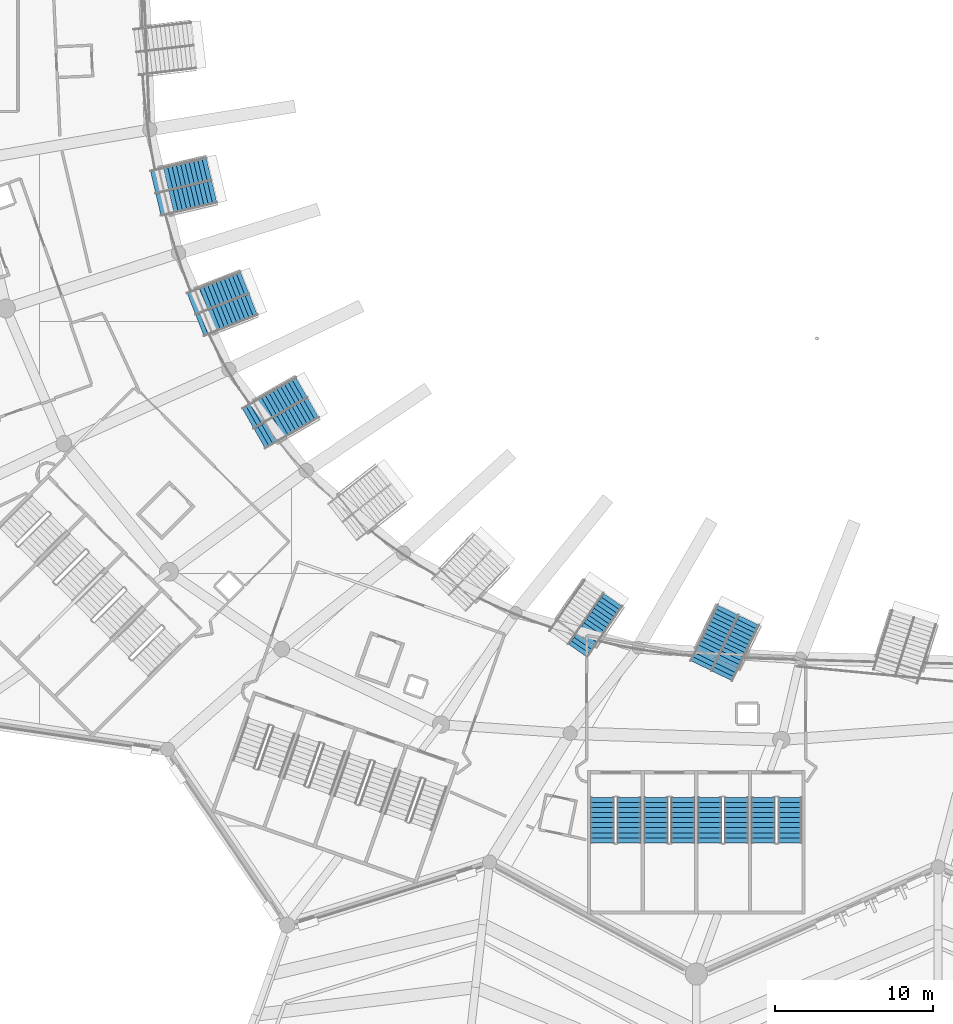
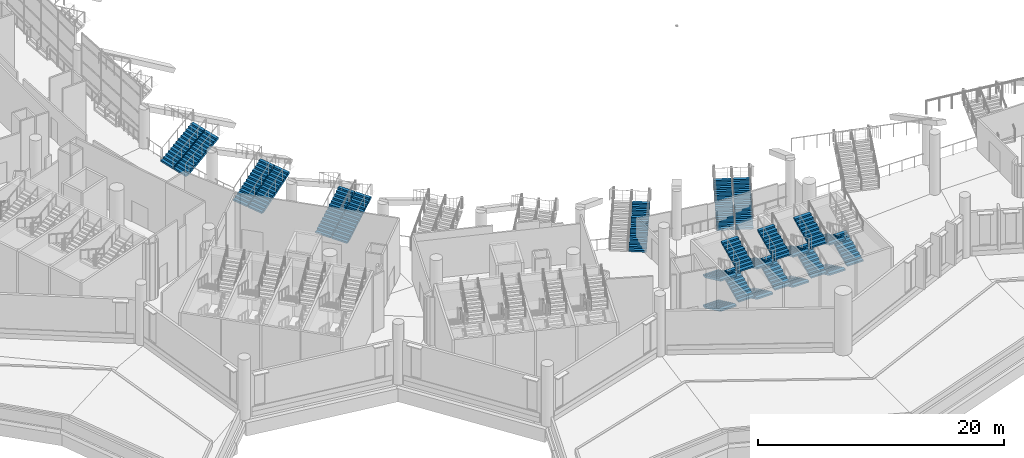
# One storey, part 82 of 173: 24 stair flights, 9 elements without a shape of their own.
"""IFC4 building model written with IfcOpenShell, lengths in metres."""

import ifcopenshell
import ifcopenshell.guid

model = None  # the IFC model being written
_history = None  # IfcOwnerHistory: only IFC2X3 demands one
_inside = {}  # id of a spatial element -> (the spatial element, [elements in it])
_under = {}  # id of a project, library or spatial element -> (it, [spatial elements below it])
_declared = {}  # id of a project -> (the project, [libraries it declares])
_typed = {}  # id of a type object -> (the type object, [elements of that type])
_made_of = {}  # id of a material, layer set ... -> (it, [elements and type objects made of it])


def new_model(schema):
    """Start an empty IFC model of exactly this schema.

    Asked for "IFC4X3", IfcOpenShell would pick the latest addendum, in which some entities
    have other attributes; the version numbers below select the first issue.
    IFC2X3 requires an IfcOwnerHistory on every rooted entity: one is made here for all.
    """
    global model, _history
    if schema == "IFC4X3":
        model = ifcopenshell.file(schema_version=(4, 3, 0, 0))
    else:
        model = ifcopenshell.file(schema=schema)
    _inside.clear()
    _under.clear()
    _declared.clear()
    _typed.clear()
    _made_of.clear()
    _history = None
    if model.schema == "IFC2X3":
        org = make("IfcOrganization", Name="unknown")
        user = make(
            "IfcPersonAndOrganization",
            ThePerson=make("IfcPerson", FamilyName="unknown"),
            TheOrganization=org,
        )
        app = make(
            "IfcApplication",
            ApplicationDeveloper=org,
            Version="unknown",
            ApplicationFullName="unknown",
            ApplicationIdentifier="unknown",
        )
        _history = make(
            "IfcOwnerHistory",
            OwningUser=user,
            OwningApplication=app,
            ChangeAction="ADDED",
            CreationDate=0,
        )
    return model


def make(cls, **values):
    """One entity of the class cls with the attributes given. An attribute that is None is left unset."""
    return model.create_entity(
        cls, **{name: value for name, value in values.items() if value is not None}
    )


def rooted(cls, **values):
    """An entity with a GlobalId (a new one), such as an element, a storey or a relation."""
    return make(cls, GlobalId=ifcopenshell.guid.new(), OwnerHistory=_history, **values)


def si_unit(unit_type, name, prefix=None):
    """IfcSIUnit, for example si_unit("LENGTHUNIT", "METRE", prefix="MILLI")."""
    return make("IfcSIUnit", UnitType=unit_type, Prefix=prefix, Name=name)


def assignment(units):
    """IfcUnitAssignment: the units of a project."""
    return None if units is None else make("IfcUnitAssignment", Units=units)


def point(xyz):
    """IfcCartesianPoint."""
    return None if xyz is None else make("IfcCartesianPoint", Coordinates=xyz)


def direction(xyz):
    """IfcDirection."""
    return None if xyz is None else make("IfcDirection", DirectionRatios=xyz)


def frame(location, z_axis=None, x_axis=None):
    """IfcAxis2Placement3D, a coordinate frame: its origin and axes. An axis left out is left unset."""
    return make(
        "IfcAxis2Placement3D",
        Location=point(location),
        Axis=direction(z_axis),
        RefDirection=direction(x_axis),
    )


def origin():
    """The frame at (0, 0, 0) with its axes left unset."""
    return frame((0.0, 0.0, 0.0))


def place(relative_to, where):
    """IfcLocalPlacement: puts the frame where relative to a parent placement (None: the world)."""
    return make(
        "IfcLocalPlacement", PlacementRelTo=relative_to, RelativePlacement=where
    )


def context(
    kind, dimensions, precision=None, world=None, true_north=None, identifier=None
):
    """IfcGeometricRepresentationContext, for example the 3D "Model" context."""
    return make(
        "IfcGeometricRepresentationContext",
        ContextIdentifier=identifier,
        ContextType=kind,
        CoordinateSpaceDimension=dimensions,
        Precision=precision,
        WorldCoordinateSystem=world,
        TrueNorth=true_north,
    )


def subcontext(parent, identifier, kind, view, scale=None):
    """IfcGeometricRepresentationSubContext, for example "Body" below "Model"."""
    return make(
        "IfcGeometricRepresentationSubContext",
        ContextIdentifier=identifier,
        ContextType=kind,
        ParentContext=parent,
        TargetScale=scale,
        TargetView=view,
    )


def project(units=None, contexts=None):
    """IfcProject with its units and contexts."""
    return rooted(
        "IfcProject",
        Name="project",
        RepresentationContexts=contexts,
        UnitsInContext=assignment(units),
    )


def spatial(cls, under=None, at=None, **own):
    """A site, building, storey or space (cls), placed at a placement, below another one or the project."""
    s = rooted(cls, ObjectPlacement=at, **own)
    if under is not None:
        _under.setdefault(under.id(), (under, []))[1].append(s)
    return s


def polyline(points):
    """IfcPolyline through the points."""
    return make("IfcPolyline", Points=[point(p) for p in points])


def outline(outer, holes=None, kind="AREA"):
    """IfcArbitraryClosedProfileDef: a profile drawn as a closed curve; with holes, ...WithVoids."""
    if holes is None:
        return make("IfcArbitraryClosedProfileDef", ProfileType=kind, OuterCurve=outer)
    return make(
        "IfcArbitraryProfileDefWithVoids",
        ProfileType=kind,
        OuterCurve=outer,
        InnerCurves=holes,
    )


def extrude(swept, where, along, depth):
    """IfcExtrudedAreaSolid: the profile swept, set in the frame where, extruded along a direction by depth."""
    return make(
        "IfcExtrudedAreaSolid",
        SweptArea=swept,
        Position=where,
        ExtrudedDirection=direction(along),
        Depth=depth,
    )


def shape(context_of_items, identifier, shape_type, items):
    """IfcShapeRepresentation: the items that make up one representation, for example the "Body"."""
    return make(
        "IfcShapeRepresentation",
        ContextOfItems=context_of_items,
        RepresentationIdentifier=identifier,
        RepresentationType=shape_type,
        Items=items,
    )


def material(Name=None, Category=None):
    """IfcMaterial."""
    return make("IfcMaterial", Name=Name, Category=Category)


def made_of(thing, what):
    """Note that an element or type object is made of a material, layer set ...; save() writes the relation."""
    if what is not None:
        _made_of.setdefault(what.id(), (what, []))[1].append(thing)
    return thing


def type_object(cls, material=None, **own):
    """A type object (cls), such as IfcWallType, which elements share."""
    return made_of(rooted(cls, **own), material)


def element(
    cls,
    number,
    at=None,
    inside=None,
    cuts=None,
    type_object=None,
    material=None,
    context=None,
    identifier="Body",
    shape_type=None,
    held_by="IfcProductDefinitionShape",
    body=None,
    shapes=None,
    **own,
):
    """One element of the class cls, such as IfcWall. Its Tag is "e" and its number.

    at: its placement. inside: the storey or other place that contains it. cuts: it is an
    opening in that element (IfcRelVoidsElement). A single representation is given by context,
    identifier, shape_type and body (its items); several are given by shapes. held_by: the class
    of the entity that holds the representations. save() writes the other relations.
    """
    e = rooted(cls, Tag="e%d" % number, ObjectPlacement=at, **own)
    if body is not None:
        shapes = [shape(context, identifier, shape_type, body)]
    if shapes is not None:
        e.Representation = make(held_by, Representations=shapes)
    if inside is not None:
        _inside.setdefault(inside.id(), (inside, []))[1].append(e)
    if cuts is not None:
        rooted(
            "IfcRelVoidsElement", RelatingBuildingElement=cuts, RelatedOpeningElement=e
        )
    if type_object is not None:
        _typed.setdefault(type_object.id(), (type_object, []))[1].append(e)
    return made_of(e, material)


def aggregate(whole, parts):
    """IfcRelAggregates: a whole, such as a stair, and the parts it consists of."""
    return rooted("IfcRelAggregates", RelatingObject=whole, RelatedObjects=parts)


def save(model, path):
    """Write the relations noted so far, then the file.

    IfcRelAggregates (storeys below a building ...), IfcRelContainedInSpatialStructure (elements
    in a storey), IfcRelDefinesByType, IfcRelAssociatesMaterial and IfcRelDeclares: one each for
    every whole, place, type object, material and project.
    """
    for whole, parts in _under.values():
        aggregate(whole, parts)
    for where, things in _inside.values():
        rooted(
            "IfcRelContainedInSpatialStructure",
            RelatedElements=things,
            RelatingStructure=where,
        )
    for kind, things in _typed.values():
        rooted("IfcRelDefinesByType", RelatedObjects=things, RelatingType=kind)
    for what, things in _made_of.values():
        rooted("IfcRelAssociatesMaterial", RelatedObjects=things, RelatingMaterial=what)
    for by, libraries in _declared.values():
        rooted("IfcRelDeclares", RelatingContext=by, RelatedDefinitions=libraries)
    model.write(path)


model = new_model("IFC4")

# Units and contexts
model_context = context("Model", 3, precision=1e-05, world=origin(), true_north=direction((0.0, 1.0)))
body_context = subcontext(model_context, "Body", "Model", "MODEL_VIEW")
ifc_project = project(units=[si_unit("LENGTHUNIT", "METRE"), si_unit("AREAUNIT", "SQUARE_METRE"), si_unit("VOLUMEUNIT", "CUBIC_METRE"), si_unit("PLANEANGLEUNIT", "RADIAN"), si_unit("MASSUNIT", "GRAM", prefix="KILO")], contexts=[model_context])

# Site, building, storey
site_placement = place(None, origin())
site = spatial("IfcSite", under=ifc_project, at=site_placement, CompositionType="ELEMENT")
building_placement = place(site_placement, origin())
building = spatial("IfcBuilding", under=site, at=building_placement, Name="Meseta Stadium", CompositionType="ELEMENT")
storey_placement = place(building_placement, frame((0.0, 0.0, 18.0)))
storey = spatial("IfcBuildingStorey", under=building, at=storey_placement, Name="L03", CompositionType="ELEMENT", Elevation=18.0)

# Stair, stair flights
ifc_material_1 = material(Name="Concrete C40/50", Category="concrete")
stair_type_1 = type_object("IfcStairType", Name="Exit stair 4 flights 150 mm risers", PredefinedType="HALF_TURN_STAIR", material=ifc_material_1)
stair_1_placement = place(storey_placement, origin())
stair_1 = element("IfcStair", 1, at=stair_1_placement, inside=storey, type_object=stair_type_1, Name="ST89 L03", PredefinedType="HALF_TURN_STAIR")
ifc_material_2 = material(Name="Concrete C40/50", Category="concrete")
stair_flight_type_1 = type_object("IfcStairFlightType", Name="Exit stair flight 150 mm risers, 4 per storey", PredefinedType="STRAIGHT", material=ifc_material_2)
stair_flight_1_placement = place(storey_placement, frame((-44.283447265625, -94.199951171875, 0.0), z_axis=(0.0, 0.0, 1.0), x_axis=(0.0, -1.0, 0.0)))
stair_flight_1 = element("IfcStairFlight", 2, at=stair_flight_1_placement, type_object=stair_flight_type_1, Name="ST89 L03 flight 1", NumberOfRisers=10, NumberOfTreads=9, PredefinedType="STRAIGHT", RiserHeight=0.15, TreadLength=0.32, context=body_context, shape_type="SweptSolid", body=[
    extrude(outline(polyline([(0.0, 0.0), (0.0, 0.14990234375), (0.320068359375, 0.14990234375), (0.320068359375, 0.300048828125), (0.639892578125, 0.300048828125), (0.639892578125, 0.449951171875), (0.9599609375, 0.449951171875), (0.9599609375, 0.60009765625), (1.280029296875, 0.60009765625), (1.280029296875, 0.75), (1.60009765625, 0.75), (1.60009765625, 0.89990234375), (1.919921875, 0.89990234375), (1.919921875, 1.050048828125), (2.239990234375, 1.050048828125), (2.239990234375, 1.199951171875), (2.56005859375, 1.199951171875), (2.56005859375, 1.35009765625), (2.8798828125, 1.35009765625), (2.8798828125, 1.184326171875), (0.353271484375, 0.0), (0.0, 0.0)])), frame((0.0, 0.75, 0.0), z_axis=(0.0, -1.0, 0.0), x_axis=(1.0, 0.0, 0.0)), (0.0, 0.0, 1.0), 1.5),
])
stair_flight_2_placement = place(storey_placement, frame((-42.583251953125, -97.080078125, 1.5), z_axis=(0.0, 0.0, 1.0), x_axis=(0.0, 1.0, 0.0)))
stair_flight_2 = element("IfcStairFlight", 3, at=stair_flight_2_placement, type_object=stair_flight_type_1, Name="ST89 L03 flight 2", NumberOfRisers=10, NumberOfTreads=9, PredefinedType="STRAIGHT", RiserHeight=0.15, TreadLength=0.32, context=body_context, shape_type="SweptSolid", body=[
    extrude(outline(polyline([(0.0, 0.0), (0.0, 0.14990234375), (0.320068359375, 0.14990234375), (0.320068359375, 0.300048828125), (0.639892578125, 0.300048828125), (0.639892578125, 0.449951171875), (0.9599609375, 0.449951171875), (0.9599609375, 0.60009765625), (1.280029296875, 0.60009765625), (1.280029296875, 0.75), (1.60009765625, 0.75), (1.60009765625, 0.89990234375), (1.919921875, 0.89990234375), (1.919921875, 1.050048828125), (2.239990234375, 1.050048828125), (2.239990234375, 1.199951171875), (2.56005859375, 1.199951171875), (2.56005859375, 1.35009765625), (2.8798828125, 1.35009765625), (2.8798828125, 1.184326171875), (0.353271484375, 0.0), (0.0, 0.0)])), frame((0.0, 0.75, 0.0), z_axis=(0.0, -1.0, 0.0), x_axis=(1.0, 0.0, 0.0)), (0.0, 0.0, 1.0), 1.5),
])
stair_flight_3_placement = place(storey_placement, frame((-44.283447265625, -94.199951171875, 3.0), z_axis=(0.0, 0.0, 1.0), x_axis=(0.0, -1.0, 0.0)))
stair_flight_3 = element("IfcStairFlight", 4, at=stair_flight_3_placement, type_object=stair_flight_type_1, Name="ST89 L03 flight 3", NumberOfRisers=10, NumberOfTreads=9, PredefinedType="STRAIGHT", RiserHeight=0.15, TreadLength=0.32, context=body_context, shape_type="SweptSolid", body=[
    extrude(outline(polyline([(0.0, 0.0), (0.0, 0.14990234375), (0.320068359375, 0.14990234375), (0.320068359375, 0.300048828125), (0.639892578125, 0.300048828125), (0.639892578125, 0.449951171875), (0.9599609375, 0.449951171875), (0.9599609375, 0.60009765625), (1.280029296875, 0.60009765625), (1.280029296875, 0.75), (1.60009765625, 0.75), (1.60009765625, 0.89990234375), (1.919921875, 0.89990234375), (1.919921875, 1.050048828125), (2.239990234375, 1.050048828125), (2.239990234375, 1.199951171875), (2.56005859375, 1.199951171875), (2.56005859375, 1.35009765625), (2.8798828125, 1.35009765625), (2.8798828125, 1.184326171875), (0.353271484375, 0.0), (0.0, 0.0)])), frame((0.0, 0.75, 0.0), z_axis=(0.0, -1.0, 0.0), x_axis=(1.0, 0.0, 0.0)), (0.0, 0.0, 1.0), 1.5),
])
stair_flight_4_placement = place(storey_placement, frame((-42.583251953125, -97.080078125, 4.5), z_axis=(0.0, 0.0, 1.0), x_axis=(0.0, 1.0, 0.0)))
stair_flight_4 = element("IfcStairFlight", 5, at=stair_flight_4_placement, type_object=stair_flight_type_1, Name="ST89 L03 flight 4", NumberOfRisers=10, NumberOfTreads=9, PredefinedType="STRAIGHT", RiserHeight=0.15, TreadLength=0.32, context=body_context, shape_type="SweptSolid", body=[
    extrude(outline(polyline([(0.0, 0.0), (0.0, 0.14990234375), (0.320068359375, 0.14990234375), (0.320068359375, 0.300048828125), (0.639892578125, 0.300048828125), (0.639892578125, 0.449951171875), (0.9599609375, 0.449951171875), (0.9599609375, 0.60009765625), (1.280029296875, 0.60009765625), (1.280029296875, 0.75), (1.60009765625, 0.75), (1.60009765625, 0.89990234375), (1.919921875, 0.89990234375), (1.919921875, 1.050048828125), (2.239990234375, 1.050048828125), (2.239990234375, 1.199951171875), (2.56005859375, 1.199951171875), (2.56005859375, 1.35009765625), (2.8798828125, 1.35009765625), (2.8798828125, 1.184326171875), (0.353271484375, 0.0), (0.0, 0.0)])), frame((0.0, 0.75, 0.0), z_axis=(0.0, -1.0, 0.0), x_axis=(1.0, 0.0, 0.0)), (0.0, 0.0, 1.0), 1.5),
])
aggregate(stair_1, [stair_flight_1, stair_flight_2, stair_flight_3, stair_flight_4])

stair_2_placement = place(storey_placement, origin())
stair_2 = element("IfcStair", 6, at=stair_2_placement, inside=storey, type_object=stair_type_1, Name="ST90 L03", PredefinedType="HALF_TURN_STAIR")
stair_flight_5_placement = place(storey_placement, frame((-40.88330078125, -94.199951171875, 0.0), z_axis=(0.0, 0.0, 1.0), x_axis=(0.0, -1.0, 0.0)))
stair_flight_5 = element("IfcStairFlight", 7, at=stair_flight_5_placement, type_object=stair_flight_type_1, Name="ST90 L03 flight 1", NumberOfRisers=10, NumberOfTreads=9, PredefinedType="STRAIGHT", RiserHeight=0.15, TreadLength=0.32, context=body_context, shape_type="SweptSolid", body=[
    extrude(outline(polyline([(0.0, 0.0), (0.0, 0.14990234375), (0.320068359375, 0.14990234375), (0.320068359375, 0.300048828125), (0.639892578125, 0.300048828125), (0.639892578125, 0.449951171875), (0.9599609375, 0.449951171875), (0.9599609375, 0.60009765625), (1.280029296875, 0.60009765625), (1.280029296875, 0.75), (1.60009765625, 0.75), (1.60009765625, 0.89990234375), (1.919921875, 0.89990234375), (1.919921875, 1.050048828125), (2.239990234375, 1.050048828125), (2.239990234375, 1.199951171875), (2.56005859375, 1.199951171875), (2.56005859375, 1.35009765625), (2.8798828125, 1.35009765625), (2.8798828125, 1.184326171875), (0.353271484375, 0.0), (0.0, 0.0)])), frame((0.0, 0.75, 0.0), z_axis=(0.0, -1.0, 0.0), x_axis=(1.0, 0.0, 0.0)), (0.0, 0.0, 1.0), 1.5),
])
stair_flight_6_placement = place(storey_placement, frame((-39.183349609375, -97.080078125, 1.5), z_axis=(0.0, 0.0, 1.0), x_axis=(0.0, 1.0, 0.0)))
stair_flight_6 = element("IfcStairFlight", 8, at=stair_flight_6_placement, type_object=stair_flight_type_1, Name="ST90 L03 flight 2", NumberOfRisers=10, NumberOfTreads=9, PredefinedType="STRAIGHT", RiserHeight=0.15, TreadLength=0.32, context=body_context, shape_type="SweptSolid", body=[
    extrude(outline(polyline([(0.0, 0.0), (0.0, 0.14990234375), (0.320068359375, 0.14990234375), (0.320068359375, 0.300048828125), (0.639892578125, 0.300048828125), (0.639892578125, 0.449951171875), (0.9599609375, 0.449951171875), (0.9599609375, 0.60009765625), (1.280029296875, 0.60009765625), (1.280029296875, 0.75), (1.60009765625, 0.75), (1.60009765625, 0.89990234375), (1.919921875, 0.89990234375), (1.919921875, 1.050048828125), (2.239990234375, 1.050048828125), (2.239990234375, 1.199951171875), (2.56005859375, 1.199951171875), (2.56005859375, 1.35009765625), (2.8798828125, 1.35009765625), (2.8798828125, 1.184326171875), (0.353271484375, 0.0), (0.0, 0.0)])), frame((0.0, 0.75, 0.0), z_axis=(0.0, -1.0, 0.0), x_axis=(1.0, 0.0, 0.0)), (0.0, 0.0, 1.0), 1.5),
])
stair_flight_7_placement = place(storey_placement, frame((-40.88330078125, -94.199951171875, 3.0), z_axis=(0.0, 0.0, 1.0), x_axis=(0.0, -1.0, 0.0)))
stair_flight_7 = element("IfcStairFlight", 9, at=stair_flight_7_placement, type_object=stair_flight_type_1, Name="ST90 L03 flight 3", NumberOfRisers=10, NumberOfTreads=9, PredefinedType="STRAIGHT", RiserHeight=0.15, TreadLength=0.32, context=body_context, shape_type="SweptSolid", body=[
    extrude(outline(polyline([(0.0, 0.0), (0.0, 0.14990234375), (0.320068359375, 0.14990234375), (0.320068359375, 0.300048828125), (0.639892578125, 0.300048828125), (0.639892578125, 0.449951171875), (0.9599609375, 0.449951171875), (0.9599609375, 0.60009765625), (1.280029296875, 0.60009765625), (1.280029296875, 0.75), (1.60009765625, 0.75), (1.60009765625, 0.89990234375), (1.919921875, 0.89990234375), (1.919921875, 1.050048828125), (2.239990234375, 1.050048828125), (2.239990234375, 1.199951171875), (2.56005859375, 1.199951171875), (2.56005859375, 1.35009765625), (2.8798828125, 1.35009765625), (2.8798828125, 1.184326171875), (0.353271484375, 0.0), (0.0, 0.0)])), frame((0.0, 0.75, 0.0), z_axis=(0.0, -1.0, 0.0), x_axis=(1.0, 0.0, 0.0)), (0.0, 0.0, 1.0), 1.5),
])
stair_flight_8_placement = place(storey_placement, frame((-39.183349609375, -97.080078125, 4.5), z_axis=(0.0, 0.0, 1.0), x_axis=(0.0, 1.0, 0.0)))
stair_flight_8 = element("IfcStairFlight", 10, at=stair_flight_8_placement, type_object=stair_flight_type_1, Name="ST90 L03 flight 4", NumberOfRisers=10, NumberOfTreads=9, PredefinedType="STRAIGHT", RiserHeight=0.15, TreadLength=0.32, context=body_context, shape_type="SweptSolid", body=[
    extrude(outline(polyline([(0.0, 0.0), (0.0, 0.14990234375), (0.320068359375, 0.14990234375), (0.320068359375, 0.300048828125), (0.639892578125, 0.300048828125), (0.639892578125, 0.449951171875), (0.9599609375, 0.449951171875), (0.9599609375, 0.60009765625), (1.280029296875, 0.60009765625), (1.280029296875, 0.75), (1.60009765625, 0.75), (1.60009765625, 0.89990234375), (1.919921875, 0.89990234375), (1.919921875, 1.050048828125), (2.239990234375, 1.050048828125), (2.239990234375, 1.199951171875), (2.56005859375, 1.199951171875), (2.56005859375, 1.35009765625), (2.8798828125, 1.35009765625), (2.8798828125, 1.184326171875), (0.353271484375, 0.0), (0.0, 0.0)])), frame((0.0, 0.75, 0.0), z_axis=(0.0, -1.0, 0.0), x_axis=(1.0, 0.0, 0.0)), (0.0, 0.0, 1.0), 1.5),
])
aggregate(stair_2, [stair_flight_5, stair_flight_6, stair_flight_7, stair_flight_8])

stair_3_placement = place(storey_placement, origin())
stair_3 = element("IfcStair", 11, at=stair_3_placement, inside=storey, type_object=stair_type_1, Name="ST91 L03", PredefinedType="HALF_TURN_STAIR")
stair_flight_9_placement = place(storey_placement, frame((-37.4833984375, -94.199951171875, 0.0), z_axis=(0.0, 0.0, 1.0), x_axis=(0.0, -1.0, 0.0)))
stair_flight_9 = element("IfcStairFlight", 12, at=stair_flight_9_placement, type_object=stair_flight_type_1, Name="ST91 L03 flight 1", NumberOfRisers=10, NumberOfTreads=9, PredefinedType="STRAIGHT", RiserHeight=0.15, TreadLength=0.32, context=body_context, shape_type="SweptSolid", body=[
    extrude(outline(polyline([(0.0, 0.0), (0.0, 0.14990234375), (0.320068359375, 0.14990234375), (0.320068359375, 0.300048828125), (0.639892578125, 0.300048828125), (0.639892578125, 0.449951171875), (0.9599609375, 0.449951171875), (0.9599609375, 0.60009765625), (1.280029296875, 0.60009765625), (1.280029296875, 0.75), (1.60009765625, 0.75), (1.60009765625, 0.89990234375), (1.919921875, 0.89990234375), (1.919921875, 1.050048828125), (2.239990234375, 1.050048828125), (2.239990234375, 1.199951171875), (2.56005859375, 1.199951171875), (2.56005859375, 1.35009765625), (2.8798828125, 1.35009765625), (2.8798828125, 1.184326171875), (0.353271484375, 0.0), (0.0, 0.0)])), frame((0.0, 0.75, 0.0), z_axis=(0.0, -1.0, 0.0), x_axis=(1.0, 0.0, 0.0)), (0.0, 0.0, 1.0), 1.5),
])
stair_flight_10_placement = place(storey_placement, frame((-35.783447265625, -97.080078125, 1.5), z_axis=(0.0, 0.0, 1.0), x_axis=(0.0, 1.0, 0.0)))
stair_flight_10 = element("IfcStairFlight", 13, at=stair_flight_10_placement, type_object=stair_flight_type_1, Name="ST91 L03 flight 2", NumberOfRisers=10, NumberOfTreads=9, PredefinedType="STRAIGHT", RiserHeight=0.15, TreadLength=0.32, context=body_context, shape_type="SweptSolid", body=[
    extrude(outline(polyline([(0.0, 0.0), (0.0, 0.14990234375), (0.320068359375, 0.14990234375), (0.320068359375, 0.300048828125), (0.639892578125, 0.300048828125), (0.639892578125, 0.449951171875), (0.9599609375, 0.449951171875), (0.9599609375, 0.60009765625), (1.280029296875, 0.60009765625), (1.280029296875, 0.75), (1.60009765625, 0.75), (1.60009765625, 0.89990234375), (1.919921875, 0.89990234375), (1.919921875, 1.050048828125), (2.239990234375, 1.050048828125), (2.239990234375, 1.199951171875), (2.56005859375, 1.199951171875), (2.56005859375, 1.35009765625), (2.8798828125, 1.35009765625), (2.8798828125, 1.184326171875), (0.353271484375, 0.0), (0.0, 0.0)])), frame((0.0, 0.75, 0.0), z_axis=(0.0, -1.0, 0.0), x_axis=(1.0, 0.0, 0.0)), (0.0, 0.0, 1.0), 1.5),
])
stair_flight_11_placement = place(storey_placement, frame((-37.4833984375, -94.199951171875, 3.0), z_axis=(0.0, 0.0, 1.0), x_axis=(0.0, -1.0, 0.0)))
stair_flight_11 = element("IfcStairFlight", 14, at=stair_flight_11_placement, type_object=stair_flight_type_1, Name="ST91 L03 flight 3", NumberOfRisers=10, NumberOfTreads=9, PredefinedType="STRAIGHT", RiserHeight=0.15, TreadLength=0.32, context=body_context, shape_type="SweptSolid", body=[
    extrude(outline(polyline([(0.0, 0.0), (0.0, 0.14990234375), (0.320068359375, 0.14990234375), (0.320068359375, 0.300048828125), (0.639892578125, 0.300048828125), (0.639892578125, 0.449951171875), (0.9599609375, 0.449951171875), (0.9599609375, 0.60009765625), (1.280029296875, 0.60009765625), (1.280029296875, 0.75), (1.60009765625, 0.75), (1.60009765625, 0.89990234375), (1.919921875, 0.89990234375), (1.919921875, 1.050048828125), (2.239990234375, 1.050048828125), (2.239990234375, 1.199951171875), (2.56005859375, 1.199951171875), (2.56005859375, 1.35009765625), (2.8798828125, 1.35009765625), (2.8798828125, 1.184326171875), (0.353271484375, 0.0), (0.0, 0.0)])), frame((0.0, 0.75, 0.0), z_axis=(0.0, -1.0, 0.0), x_axis=(1.0, 0.0, 0.0)), (0.0, 0.0, 1.0), 1.5),
])
stair_flight_12_placement = place(storey_placement, frame((-35.783447265625, -97.080078125, 4.5), z_axis=(0.0, 0.0, 1.0), x_axis=(0.0, 1.0, 0.0)))
stair_flight_12 = element("IfcStairFlight", 15, at=stair_flight_12_placement, type_object=stair_flight_type_1, Name="ST91 L03 flight 4", NumberOfRisers=10, NumberOfTreads=9, PredefinedType="STRAIGHT", RiserHeight=0.15, TreadLength=0.32, context=body_context, shape_type="SweptSolid", body=[
    extrude(outline(polyline([(0.0, 0.0), (0.0, 0.14990234375), (0.320068359375, 0.14990234375), (0.320068359375, 0.300048828125), (0.639892578125, 0.300048828125), (0.639892578125, 0.449951171875), (0.9599609375, 0.449951171875), (0.9599609375, 0.60009765625), (1.280029296875, 0.60009765625), (1.280029296875, 0.75), (1.60009765625, 0.75), (1.60009765625, 0.89990234375), (1.919921875, 0.89990234375), (1.919921875, 1.050048828125), (2.239990234375, 1.050048828125), (2.239990234375, 1.199951171875), (2.56005859375, 1.199951171875), (2.56005859375, 1.35009765625), (2.8798828125, 1.35009765625), (2.8798828125, 1.184326171875), (0.353271484375, 0.0), (0.0, 0.0)])), frame((0.0, 0.75, 0.0), z_axis=(0.0, -1.0, 0.0), x_axis=(1.0, 0.0, 0.0)), (0.0, 0.0, 1.0), 1.5),
])
aggregate(stair_3, [stair_flight_9, stair_flight_10, stair_flight_11, stair_flight_12])

stair_4_placement = place(storey_placement, origin())
stair_4 = element("IfcStair", 16, at=stair_4_placement, inside=storey, type_object=stair_type_1, Name="ST92 L03", PredefinedType="HALF_TURN_STAIR")
stair_flight_13_placement = place(storey_placement, frame((-34.083251953125, -94.199951171875, 0.0), z_axis=(0.0, 0.0, 1.0), x_axis=(0.0, -1.0, 0.0)))
stair_flight_13 = element("IfcStairFlight", 17, at=stair_flight_13_placement, type_object=stair_flight_type_1, Name="ST92 L03 flight 1", NumberOfRisers=10, NumberOfTreads=9, PredefinedType="STRAIGHT", RiserHeight=0.15, TreadLength=0.32, context=body_context, shape_type="SweptSolid", body=[
    extrude(outline(polyline([(0.0, 0.0), (0.0, 0.14990234375), (0.320068359375, 0.14990234375), (0.320068359375, 0.300048828125), (0.639892578125, 0.300048828125), (0.639892578125, 0.449951171875), (0.9599609375, 0.449951171875), (0.9599609375, 0.60009765625), (1.280029296875, 0.60009765625), (1.280029296875, 0.75), (1.60009765625, 0.75), (1.60009765625, 0.89990234375), (1.919921875, 0.89990234375), (1.919921875, 1.050048828125), (2.239990234375, 1.050048828125), (2.239990234375, 1.199951171875), (2.56005859375, 1.199951171875), (2.56005859375, 1.35009765625), (2.8798828125, 1.35009765625), (2.8798828125, 1.184326171875), (0.353271484375, 0.0), (0.0, 0.0)])), frame((0.0, 0.75, 0.0), z_axis=(0.0, -1.0, 0.0), x_axis=(1.0, 0.0, 0.0)), (0.0, 0.0, 1.0), 1.5),
])
stair_flight_14_placement = place(storey_placement, frame((-32.38330078125, -97.080078125, 1.5), z_axis=(0.0, 0.0, 1.0), x_axis=(0.0, 1.0, 0.0)))
stair_flight_14 = element("IfcStairFlight", 18, at=stair_flight_14_placement, type_object=stair_flight_type_1, Name="ST92 L03 flight 2", NumberOfRisers=10, NumberOfTreads=9, PredefinedType="STRAIGHT", RiserHeight=0.15, TreadLength=0.32, context=body_context, shape_type="SweptSolid", body=[
    extrude(outline(polyline([(0.0, 0.0), (0.0, 0.14990234375), (0.320068359375, 0.14990234375), (0.320068359375, 0.300048828125), (0.639892578125, 0.300048828125), (0.639892578125, 0.449951171875), (0.9599609375, 0.449951171875), (0.9599609375, 0.60009765625), (1.280029296875, 0.60009765625), (1.280029296875, 0.75), (1.60009765625, 0.75), (1.60009765625, 0.89990234375), (1.919921875, 0.89990234375), (1.919921875, 1.050048828125), (2.239990234375, 1.050048828125), (2.239990234375, 1.199951171875), (2.56005859375, 1.199951171875), (2.56005859375, 1.35009765625), (2.8798828125, 1.35009765625), (2.8798828125, 1.184326171875), (0.353271484375, 0.0), (0.0, 0.0)])), frame((0.0, 0.75, 0.0), z_axis=(0.0, -1.0, 0.0), x_axis=(1.0, 0.0, 0.0)), (0.0, 0.0, 1.0), 1.5),
])
stair_flight_15_placement = place(storey_placement, frame((-34.083251953125, -94.199951171875, 3.0), z_axis=(0.0, 0.0, 1.0), x_axis=(0.0, -1.0, 0.0)))
stair_flight_15 = element("IfcStairFlight", 19, at=stair_flight_15_placement, type_object=stair_flight_type_1, Name="ST92 L03 flight 3", NumberOfRisers=10, NumberOfTreads=9, PredefinedType="STRAIGHT", RiserHeight=0.15, TreadLength=0.32, context=body_context, shape_type="SweptSolid", body=[
    extrude(outline(polyline([(0.0, 0.0), (0.0, 0.14990234375), (0.320068359375, 0.14990234375), (0.320068359375, 0.300048828125), (0.639892578125, 0.300048828125), (0.639892578125, 0.449951171875), (0.9599609375, 0.449951171875), (0.9599609375, 0.60009765625), (1.280029296875, 0.60009765625), (1.280029296875, 0.75), (1.60009765625, 0.75), (1.60009765625, 0.89990234375), (1.919921875, 0.89990234375), (1.919921875, 1.050048828125), (2.239990234375, 1.050048828125), (2.239990234375, 1.199951171875), (2.56005859375, 1.199951171875), (2.56005859375, 1.35009765625), (2.8798828125, 1.35009765625), (2.8798828125, 1.184326171875), (0.353271484375, 0.0), (0.0, 0.0)])), frame((0.0, 0.75, 0.0), z_axis=(0.0, -1.0, 0.0), x_axis=(1.0, 0.0, 0.0)), (0.0, 0.0, 1.0), 1.5),
])
aggregate(stair_4, [stair_flight_13, stair_flight_14, stair_flight_15])

ifc_material_3 = material(Name="Concrete C40/50", Category="concrete")
stair_type_2 = type_object("IfcStairType", Name="Vomitory stair 3000", PredefinedType="STRAIGHT_RUN_STAIR", material=ifc_material_3)
stair_5_placement = place(storey_placement, origin())
stair_5 = element("IfcStair", 20, at=stair_5_placement, inside=storey, type_object=stair_type_2, Name="Vomitory V-upper-38", PredefinedType="STRAIGHT_RUN_STAIR")
ifc_material_4 = material(Name="Concrete C40/50", Category="concrete")
stair_flight_type_2 = type_object("IfcStairFlightType", Name="Vomitory stair flight 1450", PredefinedType="STRAIGHT", material=ifc_material_4)
stair_flight_16_placement = place(storey_placement, frame((-72.79248046875, -55.134033203125, 0.0), z_axis=(0.0, 0.0, 1.0), x_axis=(0.973256309483, 0.229721910255, 0.0)))
stair_flight_16 = element("IfcStairFlight", 21, at=stair_flight_16_placement, type_object=stair_flight_type_2, Name="Vomitory V-upper-38 flight 1", NumberOfRisers=14, NumberOfTreads=13, PredefinedType="STRAIGHT", RiserHeight=0.167905, TreadLength=0.28, context=body_context, shape_type="SweptSolid", body=[
    extrude(outline(polyline([(0.0, 0.0), (0.0, 0.16796875), (0.280029296875, 0.16796875), (0.280029296875, 0.335693359375), (0.56005859375, 0.335693359375), (0.56005859375, 0.503662109375), (0.840087890625, 0.503662109375), (0.840087890625, 0.671630859375), (1.1201171875, 0.671630859375), (1.1201171875, 0.839599609375), (1.39990234375, 0.839599609375), (1.39990234375, 1.00732421875), (1.679931640625, 1.00732421875), (1.679931640625, 1.17529296875), (1.9599609375, 1.17529296875), (1.9599609375, 1.34326171875), (2.239990234375, 1.34326171875), (2.239990234375, 1.51123046875), (2.52001953125, 1.51123046875), (2.52001953125, 1.678955078125), (2.800048828125, 1.678955078125), (2.800048828125, 1.846923828125), (3.080078125, 1.846923828125), (3.080078125, 2.014892578125), (3.360107421875, 2.014892578125), (3.360107421875, 2.182861328125), (3.639892578125, 2.182861328125), (3.639892578125, 2.008056640625), (0.29150390625, 0.0), (0.0, 0.0)])), frame((0.0, 0.72509765625, 0.0), z_axis=(0.0, -1.0, 0.0), x_axis=(1.0, 0.0, 0.0)), (0.0, 0.0, 1.0), 1.449951171875),
])
stair_flight_17_placement = place(storey_placement, frame((-72.436279296875, -56.642578125, 0.0), z_axis=(0.0, 0.0, 1.0), x_axis=(0.973256309483, 0.229721910255, 0.0)))
stair_flight_17 = element("IfcStairFlight", 22, at=stair_flight_17_placement, type_object=stair_flight_type_2, Name="Vomitory V-upper-38 flight 2", NumberOfRisers=14, NumberOfTreads=13, PredefinedType="STRAIGHT", RiserHeight=0.167905, TreadLength=0.28, context=body_context, shape_type="SweptSolid", body=[
    extrude(outline(polyline([(0.0, 0.0), (0.0, 0.16796875), (0.280029296875, 0.16796875), (0.280029296875, 0.335693359375), (0.56005859375, 0.335693359375), (0.56005859375, 0.503662109375), (0.840087890625, 0.503662109375), (0.840087890625, 0.671630859375), (1.1201171875, 0.671630859375), (1.1201171875, 0.839599609375), (1.39990234375, 0.839599609375), (1.39990234375, 1.00732421875), (1.679931640625, 1.00732421875), (1.679931640625, 1.17529296875), (1.9599609375, 1.17529296875), (1.9599609375, 1.34326171875), (2.239990234375, 1.34326171875), (2.239990234375, 1.51123046875), (2.52001953125, 1.51123046875), (2.52001953125, 1.678955078125), (2.800048828125, 1.678955078125), (2.800048828125, 1.846923828125), (3.080078125, 1.846923828125), (3.080078125, 2.014892578125), (3.360107421875, 2.014892578125), (3.360107421875, 2.182861328125), (3.639892578125, 2.182861328125), (3.639892578125, 2.008056640625), (0.29150390625, 0.0), (0.0, 0.0)])), frame((0.0, 0.72509765625, 0.0), z_axis=(0.0, -1.0, 0.0), x_axis=(1.0, 0.0, 0.0)), (0.0, 0.0, 1.0), 1.449951171875),
])
aggregate(stair_5, [stair_flight_16, stair_flight_17])

stair_6_placement = place(storey_placement, origin())
stair_6 = element("IfcStair", 23, at=stair_6_placement, inside=storey, type_object=stair_type_2, Name="Vomitory V-upper-39", PredefinedType="STRAIGHT_RUN_STAIR")
stair_flight_18_placement = place(storey_placement, frame((-70.37451171875, -62.850830078125, 0.0), z_axis=(0.0, 0.0, 1.0), x_axis=(0.930263326339, 0.366892550576, 0.0)))
stair_flight_18 = element("IfcStairFlight", 24, at=stair_flight_18_placement, type_object=stair_flight_type_2, Name="Vomitory V-upper-39 flight 1", NumberOfRisers=14, NumberOfTreads=13, PredefinedType="STRAIGHT", RiserHeight=0.167897, TreadLength=0.28, context=body_context, shape_type="SweptSolid", body=[
    extrude(outline(polyline([(0.0, 0.0), (0.0, 0.16796875), (0.280029296875, 0.16796875), (0.280029296875, 0.335693359375), (0.56005859375, 0.335693359375), (0.56005859375, 0.503662109375), (0.840087890625, 0.503662109375), (0.840087890625, 0.671630859375), (1.1201171875, 0.671630859375), (1.1201171875, 0.839599609375), (1.39990234375, 0.839599609375), (1.39990234375, 1.00732421875), (1.679931640625, 1.00732421875), (1.679931640625, 1.17529296875), (1.9599609375, 1.17529296875), (1.9599609375, 1.34326171875), (2.239990234375, 1.34326171875), (2.239990234375, 1.510986328125), (2.52001953125, 1.510986328125), (2.52001953125, 1.678955078125), (2.800048828125, 1.678955078125), (2.800048828125, 1.846923828125), (3.080078125, 1.846923828125), (3.080078125, 2.0146484375), (3.360107421875, 2.0146484375), (3.360107421875, 2.1826171875), (3.639892578125, 2.1826171875), (3.639892578125, 2.0078125), (0.29150390625, 0.0), (0.0, 0.0)])), frame((0.0, 0.72509765625, 0.0), z_axis=(0.0, -1.0, 0.0), x_axis=(1.0, 0.0, 0.0)), (0.0, 0.0, 1.0), 1.449951171875),
])
stair_flight_19_placement = place(storey_placement, frame((-69.8056640625, -64.292724609375, 0.0), z_axis=(0.0, 0.0, 1.0), x_axis=(0.930263326339, 0.366892550576, 0.0)))
stair_flight_19 = element("IfcStairFlight", 25, at=stair_flight_19_placement, type_object=stair_flight_type_2, Name="Vomitory V-upper-39 flight 2", NumberOfRisers=14, NumberOfTreads=13, PredefinedType="STRAIGHT", RiserHeight=0.167897, TreadLength=0.28, context=body_context, shape_type="SweptSolid", body=[
    extrude(outline(polyline([(0.0, 0.0), (0.0, 0.16796875), (0.280029296875, 0.16796875), (0.280029296875, 0.335693359375), (0.56005859375, 0.335693359375), (0.56005859375, 0.503662109375), (0.840087890625, 0.503662109375), (0.840087890625, 0.671630859375), (1.1201171875, 0.671630859375), (1.1201171875, 0.839599609375), (1.39990234375, 0.839599609375), (1.39990234375, 1.00732421875), (1.679931640625, 1.00732421875), (1.679931640625, 1.17529296875), (1.9599609375, 1.17529296875), (1.9599609375, 1.34326171875), (2.239990234375, 1.34326171875), (2.239990234375, 1.510986328125), (2.52001953125, 1.510986328125), (2.52001953125, 1.678955078125), (2.800048828125, 1.678955078125), (2.800048828125, 1.846923828125), (3.080078125, 1.846923828125), (3.080078125, 2.0146484375), (3.360107421875, 2.0146484375), (3.360107421875, 2.1826171875), (3.639892578125, 2.1826171875), (3.639892578125, 2.0078125), (0.29150390625, 0.0), (0.0, 0.0)])), frame((0.0, 0.72509765625, 0.0), z_axis=(0.0, -1.0, 0.0), x_axis=(1.0, 0.0, 0.0)), (0.0, 0.0, 1.0), 1.449951171875),
])
aggregate(stair_6, [stair_flight_18, stair_flight_19])

stair_7_placement = place(storey_placement, origin())
stair_7 = element("IfcStair", 26, at=stair_7_placement, inside=storey, type_object=stair_type_2, Name="Vomitory V-upper-40", PredefinedType="STRAIGHT_RUN_STAIR")
stair_flight_20_placement = place(storey_placement, frame((-66.788330078125, -70.11767578125, 0.0), z_axis=(0.0, 0.0, 1.0), x_axis=(0.867711670531, 0.497067859376, 0.0)))
stair_flight_20 = element("IfcStairFlight", 27, at=stair_flight_20_placement, type_object=stair_flight_type_2, Name="Vomitory V-upper-40 flight 1", NumberOfRisers=15, NumberOfTreads=14, PredefinedType="STRAIGHT", RiserHeight=0.164991, TreadLength=0.28, context=body_context, shape_type="SweptSolid", body=[
    extrude(outline(polyline([(0.0, 0.0), (0.0, 0.1650390625), (0.280029296875, 0.1650390625), (0.280029296875, 0.330078125), (0.56005859375, 0.330078125), (0.56005859375, 0.494873046875), (0.840087890625, 0.494873046875), (0.840087890625, 0.659912109375), (1.1201171875, 0.659912109375), (1.1201171875, 0.824951171875), (1.39990234375, 0.824951171875), (1.39990234375, 0.989990234375), (1.679931640625, 0.989990234375), (1.679931640625, 1.155029296875), (1.9599609375, 1.155029296875), (1.9599609375, 1.31982421875), (2.239990234375, 1.31982421875), (2.239990234375, 1.48486328125), (2.52001953125, 1.48486328125), (2.52001953125, 1.64990234375), (2.800048828125, 1.64990234375), (2.800048828125, 1.81494140625), (3.080078125, 1.81494140625), (3.080078125, 1.97998046875), (3.360107421875, 1.97998046875), (3.360107421875, 2.144775390625), (3.639892578125, 2.144775390625), (3.639892578125, 2.309814453125), (3.919921875, 2.309814453125), (3.919921875, 2.135986328125), (0.295166015625, 0.0), (0.0, 0.0)])), frame((0.0, 0.72509765625, 0.0), z_axis=(0.0, -1.0, 0.0), x_axis=(1.0, 0.0, 0.0)), (0.0, 0.0, 1.0), 1.449951171875),
])
stair_flight_21_placement = place(storey_placement, frame((-66.017822265625, -71.462646484375, 0.0), z_axis=(0.0, 0.0, 1.0), x_axis=(0.867711670531, 0.497067859376, 0.0)))
stair_flight_21 = element("IfcStairFlight", 28, at=stair_flight_21_placement, type_object=stair_flight_type_2, Name="Vomitory V-upper-40 flight 2", NumberOfRisers=15, NumberOfTreads=14, PredefinedType="STRAIGHT", RiserHeight=0.164991, TreadLength=0.28, context=body_context, shape_type="SweptSolid", body=[
    extrude(outline(polyline([(0.0, 0.0), (0.0, 0.1650390625), (0.280029296875, 0.1650390625), (0.280029296875, 0.330078125), (0.56005859375, 0.330078125), (0.56005859375, 0.494873046875), (0.840087890625, 0.494873046875), (0.840087890625, 0.659912109375), (1.1201171875, 0.659912109375), (1.1201171875, 0.824951171875), (1.39990234375, 0.824951171875), (1.39990234375, 0.989990234375), (1.679931640625, 0.989990234375), (1.679931640625, 1.155029296875), (1.9599609375, 1.155029296875), (1.9599609375, 1.31982421875), (2.239990234375, 1.31982421875), (2.239990234375, 1.48486328125), (2.52001953125, 1.48486328125), (2.52001953125, 1.64990234375), (2.800048828125, 1.64990234375), (2.800048828125, 1.81494140625), (3.080078125, 1.81494140625), (3.080078125, 1.97998046875), (3.360107421875, 1.97998046875), (3.360107421875, 2.144775390625), (3.639892578125, 2.144775390625), (3.639892578125, 2.309814453125), (3.919921875, 2.309814453125), (3.919921875, 2.135986328125), (0.295166015625, 0.0), (0.0, 0.0)])), frame((0.0, 0.72509765625, 0.0), z_axis=(0.0, -1.0, 0.0), x_axis=(1.0, 0.0, 0.0)), (0.0, 0.0, 1.0), 1.449951171875),
])
aggregate(stair_7, [stair_flight_20, stair_flight_21])

# Stair, stair flight
stair_8_placement = place(storey_placement, origin())
stair_8 = element("IfcStair", 29, at=stair_8_placement, inside=storey, type_object=stair_type_2, Name="Vomitory V-upper-43", PredefinedType="STRAIGHT_RUN_STAIR")
stair_flight_22_placement = place(storey_placement, frame((-45.812255859375, -84.91552734375, 0.0), z_axis=(0.0, 0.0, 1.0), x_axis=(0.567899772853, 0.82309771473, 0.0)))
stair_flight_22 = element("IfcStairFlight", 30, at=stair_flight_22_placement, type_object=stair_flight_type_2, Name="Vomitory V-upper-43 flight 2", NumberOfRisers=15, NumberOfTreads=14, PredefinedType="STRAIGHT", RiserHeight=0.164766, TreadLength=0.28, context=body_context, shape_type="SweptSolid", body=[
    extrude(outline(polyline([(0.0, 0.0), (0.0, 0.164794921875), (0.280029296875, 0.164794921875), (0.280029296875, 0.32958984375), (0.56005859375, 0.32958984375), (0.56005859375, 0.494384765625), (0.840087890625, 0.494384765625), (0.840087890625, 0.6591796875), (1.1201171875, 0.6591796875), (1.1201171875, 0.82373046875), (1.39990234375, 0.82373046875), (1.39990234375, 0.988525390625), (1.679931640625, 0.988525390625), (1.679931640625, 1.1533203125), (1.9599609375, 1.1533203125), (1.9599609375, 1.318115234375), (2.239990234375, 1.318115234375), (2.239990234375, 1.48291015625), (2.52001953125, 1.48291015625), (2.52001953125, 1.647705078125), (2.800048828125, 1.647705078125), (2.800048828125, 1.8125), (3.080078125, 1.8125), (3.080078125, 1.977294921875), (3.360107421875, 1.977294921875), (3.360107421875, 2.141845703125), (3.639892578125, 2.141845703125), (3.639892578125, 2.306640625), (3.919921875, 2.306640625), (3.919921875, 2.1328125), (0.295654296875, 0.0), (0.0, 0.0)])), frame((0.0, 0.72509765625, 0.0), z_axis=(0.0, -1.0, 0.0), x_axis=(1.0, 0.0, 0.0)), (0.0, 0.0, 1.0), 1.449951171875),
])
aggregate(stair_8, [stair_flight_22])

# Stair, stair flights
stair_9_placement = place(storey_placement, origin())
stair_9 = element("IfcStair", 31, at=stair_9_placement, inside=storey, type_object=stair_type_2, Name="Vomitory V-upper-44", PredefinedType="STRAIGHT_RUN_STAIR")
stair_flight_23_placement = place(storey_placement, frame((-38.072021484375, -85.824462890625, 0.0), z_axis=(0.0, 0.0, 1.0), x_axis=(0.437966379942, 0.898991351483, 0.0)))
stair_flight_23 = element("IfcStairFlight", 32, at=stair_flight_23_placement, type_object=stair_flight_type_2, Name="Vomitory V-upper-44 flight 1", NumberOfRisers=15, NumberOfTreads=14, PredefinedType="STRAIGHT", RiserHeight=0.173281, TreadLength=0.28, context=body_context, shape_type="SweptSolid", body=[
    extrude(outline(polyline([(0.0, 0.0), (0.0, 0.17333984375), (0.280029296875, 0.17333984375), (0.280029296875, 0.3466796875), (0.56005859375, 0.3466796875), (0.56005859375, 0.519775390625), (0.840087890625, 0.519775390625), (0.840087890625, 0.693115234375), (1.1201171875, 0.693115234375), (1.1201171875, 0.866455078125), (1.39990234375, 0.866455078125), (1.39990234375, 1.039794921875), (1.679931640625, 1.039794921875), (1.679931640625, 1.212890625), (1.9599609375, 1.212890625), (1.9599609375, 1.38623046875), (2.239990234375, 1.38623046875), (2.239990234375, 1.5595703125), (2.52001953125, 1.5595703125), (2.52001953125, 1.73291015625), (2.800048828125, 1.73291015625), (2.800048828125, 1.906005859375), (3.080078125, 1.906005859375), (3.080078125, 2.079345703125), (3.360107421875, 2.079345703125), (3.360107421875, 2.252685546875), (3.639892578125, 2.252685546875), (3.639892578125, 2.426025390625), (3.919921875, 2.426025390625), (3.919921875, 2.249755859375), (0.284912109375, 0.0), (0.0, 0.0)])), frame((0.0, 0.72509765625, 0.0), z_axis=(0.0, -1.0, 0.0), x_axis=(1.0, 0.0, 0.0)), (0.0, 0.0, 1.0), 1.449951171875),
])
stair_flight_24_placement = place(storey_placement, frame((-36.678466796875, -86.50341796875, 0.0), z_axis=(0.0, 0.0, 1.0), x_axis=(0.437966379942, 0.898991351483, 0.0)))
stair_flight_24 = element("IfcStairFlight", 33, at=stair_flight_24_placement, type_object=stair_flight_type_2, Name="Vomitory V-upper-44 flight 2", NumberOfRisers=15, NumberOfTreads=14, PredefinedType="STRAIGHT", RiserHeight=0.173281, TreadLength=0.28, context=body_context, shape_type="SweptSolid", body=[
    extrude(outline(polyline([(0.0, 0.0), (0.0, 0.17333984375), (0.280029296875, 0.17333984375), (0.280029296875, 0.3466796875), (0.56005859375, 0.3466796875), (0.56005859375, 0.519775390625), (0.840087890625, 0.519775390625), (0.840087890625, 0.693115234375), (1.1201171875, 0.693115234375), (1.1201171875, 0.866455078125), (1.39990234375, 0.866455078125), (1.39990234375, 1.039794921875), (1.679931640625, 1.039794921875), (1.679931640625, 1.212890625), (1.9599609375, 1.212890625), (1.9599609375, 1.38623046875), (2.239990234375, 1.38623046875), (2.239990234375, 1.5595703125), (2.52001953125, 1.5595703125), (2.52001953125, 1.73291015625), (2.800048828125, 1.73291015625), (2.800048828125, 1.906005859375), (3.080078125, 1.906005859375), (3.080078125, 2.079345703125), (3.360107421875, 2.079345703125), (3.360107421875, 2.252685546875), (3.639892578125, 2.252685546875), (3.639892578125, 2.426025390625), (3.919921875, 2.426025390625), (3.919921875, 2.249755859375), (0.284912109375, 0.0), (0.0, 0.0)])), frame((0.0, 0.72509765625, 0.0), z_axis=(0.0, -1.0, 0.0), x_axis=(1.0, 0.0, 0.0)), (0.0, 0.0, 1.0), 1.449951171875),
])
aggregate(stair_9, [stair_flight_23, stair_flight_24])

save(model, "model.ifc")
